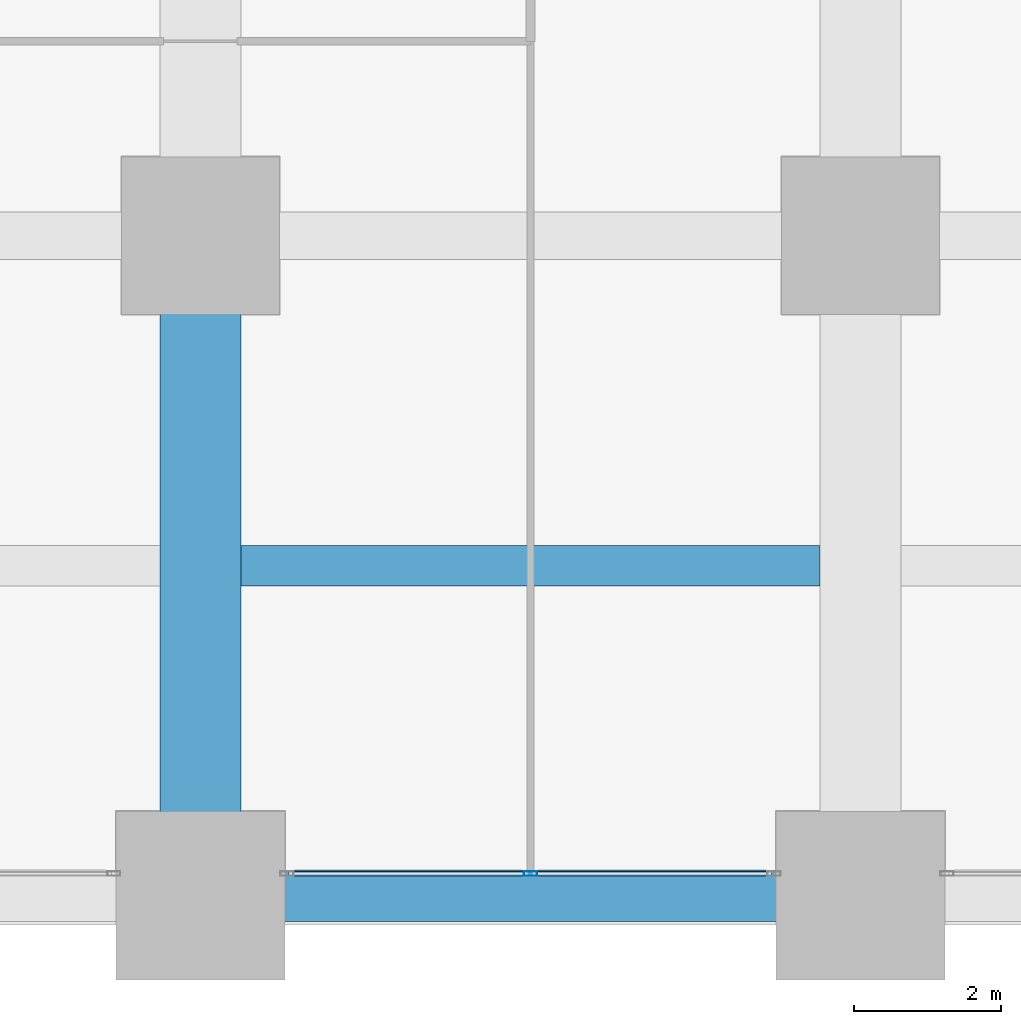
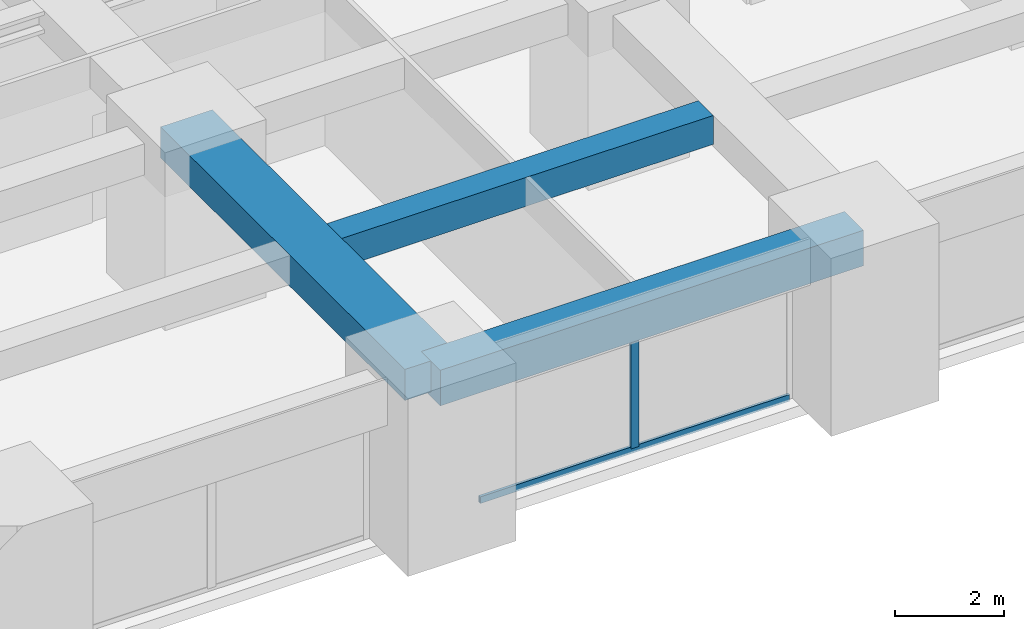
# One storey, part 7 of 44: 3 beams, 2 members, 1 element without a shape of its own.
"""IFC4 building model written with IfcOpenShell, lengths in metres."""

from ifc_helpers import new_model, si_unit, direction, frame, origin, origin_2d, place, context, subcontext, project, spatial, rectangle, hollow_rectangle, extrude, material, material_profile, profile_set, type_object, element, aggregate, save


model = new_model("IFC4")

# Units and contexts
model_context = context("Model", 3, precision=1e-05, world=origin(), true_north=direction((0.0, 1.0)))
body_context = subcontext(model_context, "Body", "Model", "MODEL_VIEW")
ifc_project = project(units=[si_unit("LENGTHUNIT", "METRE"), si_unit("AREAUNIT", "SQUARE_METRE"), si_unit("VOLUMEUNIT", "CUBIC_METRE"), si_unit("PLANEANGLEUNIT", "RADIAN"), si_unit("MASSUNIT", "GRAM", prefix="KILO")], contexts=[model_context])

# Site, building, storey
site_placement = place(None, origin())
site = spatial("IfcSite", under=ifc_project, at=site_placement, CompositionType="ELEMENT")
building_placement = place(site_placement, origin())
building = spatial("IfcBuilding", under=site, at=building_placement, Name="Zorevar Civic Tower", CompositionType="ELEMENT")
storey_placement = place(building_placement, frame((0.0, 0.0, 59.800048828125)))
storey = spatial("IfcBuildingStorey", under=building, at=storey_placement, Name="L14", CompositionType="ELEMENT", Elevation=59.800048828125)

# Beams
ifc_material_1 = material(Name="Concrete C50/60", Category="concrete")
ifc_material_profile_1 = material_profile(ifc_material_1, rectangle(XDim=1.10009765625, YDim=0.699951171875, at=origin_2d()), Name="RC 1100x700")
ifc_profile_set_1 = profile_set([ifc_material_profile_1], Name="Concrete C50/60")
beam_type_1 = type_object("IfcBeamType", Name="Beam RC 1100x700", PredefinedType="BEAM", material=ifc_profile_set_1)
beam_1_placement = place(storey_placement, frame((27.0, 0.0, 3.39990234375), z_axis=(0.0, 1.0, 0.0), x_axis=(-1.0, 0.0, 0.0)))
element("IfcBeam", 1, at=beam_1_placement, inside=storey, type_object=beam_type_1, Name="Girder L15", PredefinedType="BEAM", context=body_context, shape_type="SweptSolid", body=[
    extrude(rectangle(XDim=1.10009765625, YDim=0.699951171875, at=origin_2d()), origin(), (0.0, 0.0, 1.0), 9.0),
])
ifc_material_2 = material(Name="Concrete C50/60", Category="concrete")
ifc_material_profile_2 = material_profile(ifc_material_2, rectangle(XDim=0.550048828125, YDim=0.64990234375, at=origin_2d()), Name="RC 550x650")
ifc_profile_set_2 = profile_set([ifc_material_profile_2], Name="Concrete C50/60")
beam_type_2 = type_object("IfcBeamType", Name="Beam RC 550x650", PredefinedType="BEAM", material=ifc_profile_set_2)
beam_2_placement = place(storey_placement, frame((27.550048828125, 4.5, 3.425048828125), z_axis=(1.0, 0.0, 0.0), x_axis=(0.0, 1.0, 0.0)))
element("IfcBeam", 2, at=beam_2_placement, inside=storey, type_object=beam_type_2, Name="Secondary beam L15", PredefinedType="BEAM", context=body_context, shape_type="SweptSolid", body=[
    extrude(rectangle(XDim=0.550048828125, YDim=0.64990234375, at=origin_2d()), origin(), (0.0, 0.0, 1.0), 7.89990234375),
])

# Curtain wall, members
ifc_material_3 = material(Name="Dark grey solar-control glass in black aluminium frame", Category="aluminium")
curtain_wall_type = type_object("IfcCurtainWallType", Name="Curtain wall CW2 low zone", PredefinedType="NOTDEFINED", material=ifc_material_3)
curtain_wall_placement = place(storey_placement, origin())
curtain_wall = element("IfcCurtainWall", 3, at=curtain_wall_placement, inside=storey, type_object=curtain_wall_type, Name="CW2 L14", PredefinedType="NOTDEFINED")
ifc_material_4 = material(Name="Aluminium, black anodised", Category="aluminium")
ifc_material_profile_3 = material_profile(ifc_material_4, hollow_rectangle(XDim=0.06005859375, YDim=0.179931640625, WallThickness=0.00390625, at=origin_2d()), Name="AL 180x60x4")
ifc_profile_set_3 = profile_set([ifc_material_profile_3], Name="Aluminium, black anodised")
member_type_1 = type_object("IfcMemberType", Name="CW2 mullion AL 180x60x4", PredefinedType="MULLION", material=ifc_profile_set_3)
member_1_placement = place(storey_placement, frame((31.5, 0.300048828125, 0.06005859375), z_axis=(0.0, 0.0, 1.0), x_axis=(0.0, 1.0, 0.0)))
member_1 = element("IfcMember", 4, at=member_1_placement, type_object=member_type_1, Name="CW2 mullion 2", PredefinedType="MULLION", context=body_context, shape_type="SweptSolid", body=[
    extrude(hollow_rectangle(XDim=0.06005859375, YDim=0.179931640625, WallThickness=0.00390625, at=origin_2d()), origin(), (0.0, 0.0, 1.0), 2.889892578125),
])
ifc_material_5 = material(Name="Aluminium, black anodised", Category="aluminium")
ifc_material_profile_4 = material_profile(ifc_material_5, hollow_rectangle(XDim=0.06005859375, YDim=0.14990234375, WallThickness=0.00390625, at=origin_2d()), Name="AL 150x60x4")
ifc_profile_set_4 = profile_set([ifc_material_profile_4], Name="Aluminium, black anodised")
member_type_2 = type_object("IfcMemberType", Name="CW2 transom AL 150x60x4", PredefinedType="USERDEFINED", material=ifc_profile_set_4)
member_2_placement = place(storey_placement, frame((28.2099609375, 0.300048828125, 0.030029296875), z_axis=(1.0, 0.0, 0.0), x_axis=(0.0, 1.0, 0.0)))
member_2 = element("IfcMember", 5, at=member_2_placement, type_object=member_type_2, Name="CW2 sill transom", ObjectType="TRANSOM", PredefinedType="USERDEFINED", context=body_context, shape_type="SweptSolid", body=[
    extrude(hollow_rectangle(XDim=0.06005859375, YDim=0.14990234375, WallThickness=0.00390625, at=origin_2d()), origin(), (0.0, 0.0, 1.0), 6.580078125),
])
aggregate(curtain_wall, [member_1, member_2])

# Beam
ifc_material_6 = material(Name="Concrete C50/60", Category="concrete")
ifc_material_profile_5 = material_profile(ifc_material_6, rectangle(XDim=0.699951171875, YDim=0.800048828125, at=origin_2d()), Name="RC 700x800")
ifc_profile_set_5 = profile_set([ifc_material_profile_5], Name="Concrete C50/60")
beam_type_3 = type_object("IfcBeamType", Name="Edge beam RC 700x800", PredefinedType="SPANDREL", material=ifc_profile_set_5)
beam_3_placement = place(storey_placement, frame((27.0, 0.0, 3.349853515625), z_axis=(1.0, 0.0, 0.0), x_axis=(0.0, 1.0, 0.0)))
element("IfcBeam", 6, at=beam_3_placement, inside=storey, type_object=beam_type_3, Name="Edge beam L15", PredefinedType="SPANDREL", context=body_context, shape_type="SweptSolid", body=[
    extrude(rectangle(XDim=0.699951171875, YDim=0.800048828125, at=origin_2d()), origin(), (0.0, 0.0, 1.0), 9.0),
])

save(model, "model.ifc")
